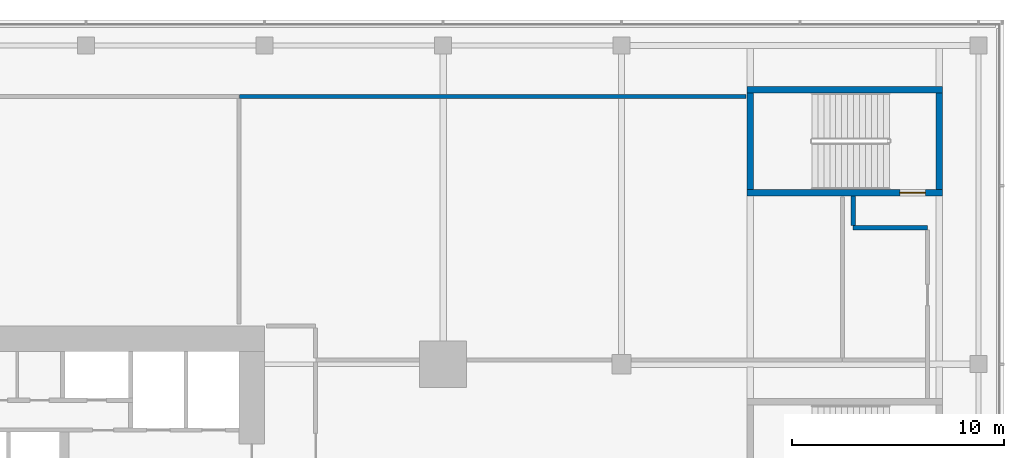
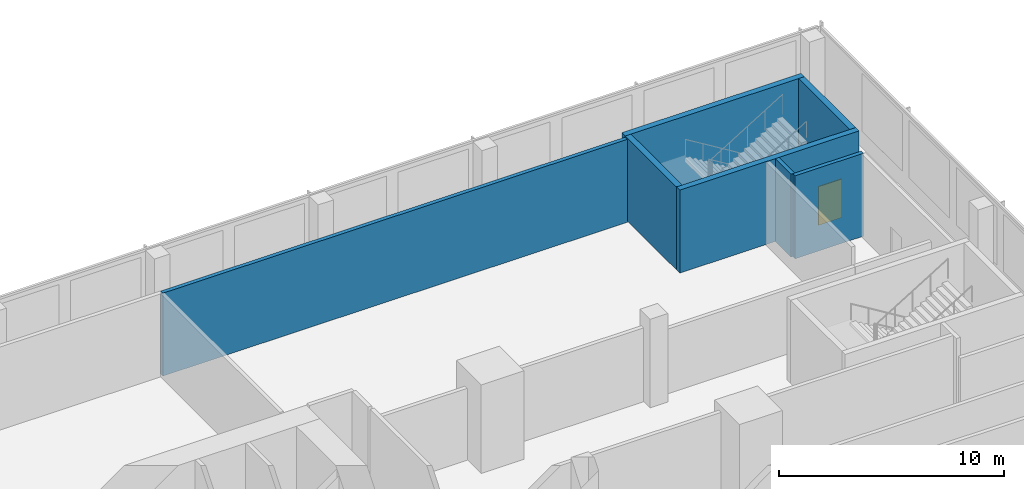
# One storey, part 34 of 39: 7 walls, 1 door, 1 opening.
"""IFC4 building model written with IfcOpenShell, lengths in metres."""

from ifc_helpers import new_model, si_unit, direction, frame, frame_2d, origin, place, context, subcontext, project, spatial, rectangle, extrude, material, layer, layer_set, type_object, element, fill, save


model = new_model("IFC4")

# Units and contexts
model_context = context("Model", 3, precision=1e-05, world=origin(), true_north=direction((0.0, 1.0)))
body_context = subcontext(model_context, "Body", "Model", "MODEL_VIEW")
ifc_project = project(units=[si_unit("LENGTHUNIT", "METRE"), si_unit("AREAUNIT", "SQUARE_METRE"), si_unit("VOLUMEUNIT", "CUBIC_METRE"), si_unit("PLANEANGLEUNIT", "RADIAN"), si_unit("MASSUNIT", "GRAM", prefix="KILO")], contexts=[model_context])

# Site, building, storey
site_placement = place(None, origin())
site = spatial("IfcSite", under=ifc_project, at=site_placement, CompositionType="ELEMENT")
building_placement = place(site_placement, origin())
building = spatial("IfcBuilding", under=site, at=building_placement, Name="Saffron Gate Tower", CompositionType="ELEMENT")
storey_placement = place(building_placement, frame((0.0, 0.0, 14.39990234375)))
storey = spatial("IfcBuildingStorey", under=building, at=storey_placement, Name="L02", CompositionType="ELEMENT", Elevation=14.39990234375)

# Wall, opening, door
ifc_material_1 = material(Name="Concrete C70", Category="concrete")
ifc_layer_1 = layer(ifc_material_1, 0.300048828125)
ifc_layer_set_1 = layer_set([ifc_layer_1], Name="CW5 RC core wall 300 C70")
wall_type_1 = type_object("IfcWallType", Name="CW5 RC core wall 300 C70", PredefinedType="SOLIDWALL", material=ifc_layer_set_1)
wall_1_placement = place(storey_placement, frame((131.300048828125, 81.875, 0.0), z_axis=(0.0, 0.0, 1.0), x_axis=(1.0, 0.0, 0.0)))
wall_1 = element("IfcWall", 1, at=wall_1_placement, inside=storey, type_object=wall_type_1, Name="Wall CW5-L02-I-1", PredefinedType="SOLIDWALL", context=body_context, shape_type="SweptSolid", body=[
    extrude(rectangle(XDim=9.199951171875, YDim=0.300048828125, at=frame_2d((4.60009765625, 0.0))), origin(), (0.0, 0.0, 1.0), 4.5),
])
opening_placement = place(wall_1_placement, frame((7.199951171875, 0.0, 0.0)))
opening = element("IfcOpeningElement", 2, at=opening_placement, cuts=wall_1, Name="Opening CR-35", PredefinedType="OPENING", context=body_context, shape_type="SweptSolid", body=[
    extrude(rectangle(XDim=1.199951171875, YDim=2.10009765625, at=frame_2d((0.60009765625, 1.050048828125))), frame((0.0, 0.16015625, 0.0), z_axis=(0.0, -1.0, 0.0), x_axis=(1.0, 0.0, 0.0)), (0.0, 0.0, 1.0), 0.320068359375),
])
ifc_material_2 = material(Name="Steel fire door set", Category="steel")
door_type = type_object("IfcDoorType", Name="CD12 Stair door 1200x2100 EI 120", OperationType="NOTDEFINED", PredefinedType="DOOR", material=ifc_material_2)
door_placement = place(opening_placement, origin())
door = element("IfcDoor", 3, at=door_placement, inside=storey, type_object=door_type, Name="DOOR CR-35", OperationType="SINGLE_SWING_RIGHT", OverallHeight=2.10009765625, OverallWidth=1.199951171875, PredefinedType="DOOR", context=body_context, shape_type="SweptSolid", body=[
    extrude(rectangle(XDim=1.199951171875, YDim=2.10009765625, at=frame_2d((0.60009765625, 1.050048828125))), frame((0.0, 0.02490234375, 0.0), z_axis=(0.0, -1.0, 0.0), x_axis=(1.0, 0.0, 0.0)), (0.0, 0.0, 1.0), 0.050048828125),
])
fill(opening, door)

# Walls
for number, where, z_axis, x_axis, name in (
    (4, (131.449951171875, 82.02490234375, 0.0), (0.0, 0.0, 1.0), (0.0, 1.0, 0.0), "Wall CW5-L02-I-2"),
    (5, (140.35009765625, 82.02490234375, 0.0), (0.0, 0.0, 1.0), (0.0, 1.0, 0.0), "Wall CW5-L02-I-3"),
):
    element("IfcWall", number, at=place(storey_placement, frame(where, z_axis=z_axis, x_axis=x_axis)), inside=storey, type_object=wall_type_1, Name=name, PredefinedType="SOLIDWALL", context=body_context, shape_type="SweptSolid", body=[
        extrude(rectangle(XDim=4.550048828125, YDim=0.300048828125, at=frame_2d((2.27490234375, 0.0))), origin(), (0.0, 0.0, 1.0), 4.5),
    ])
wall_2_placement = place(storey_placement, frame((131.300048828125, 86.72509765625, 0.0), z_axis=(0.0, 0.0, 1.0), x_axis=(1.0, 0.0, 0.0)))
element("IfcWall", 6, at=wall_2_placement, inside=storey, type_object=wall_type_1, Name="Wall CW5-L02-I-4", PredefinedType="SOLIDWALL", context=body_context, shape_type="SweptSolid", body=[
    extrude(rectangle(XDim=9.199951171875, YDim=0.300048828125, at=frame_2d((4.60009765625, 0.0))), origin(), (0.0, 0.0, 1.0), 4.5),
])
ifc_material_3 = material(Name="Clay brick masonry, rendered", Category="masonry")
ifc_layer_2 = layer(ifc_material_3, 0.199951171875)
ifc_layer_set_2 = layer_set([ifc_layer_2], Name="PW3 Corridor wall 200")
wall_type_2 = type_object("IfcWallType", Name="PW3 Corridor wall 200", PredefinedType="PARTITIONING", material=ifc_layer_set_2)
wall_3_placement = place(storey_placement, frame((136.300048828125, 80.22509765625, 0.0), z_axis=(0.0, 0.0, 1.0), x_axis=(1.0, 0.0, 0.0)))
element("IfcWall", 7, at=wall_3_placement, inside=storey, type_object=wall_type_2, Name="Wall P2-35", PredefinedType="PARTITIONING", context=body_context, shape_type="SweptSolid", body=[
    extrude(rectangle(XDim=3.5, YDim=0.199951171875, at=frame_2d((1.75, 0.0))), origin(), (0.0, 0.0, 1.0), 4.5),
])
wall_4_placement = place(storey_placement, frame((136.300048828125, 81.72509765625, 0.0), z_axis=(0.0, 0.0, 1.0), x_axis=(0.0, -1.0, 0.0)))
element("IfcWall", 8, at=wall_4_placement, inside=storey, type_object=wall_type_2, Name="Wall P2-74", PredefinedType="PARTITIONING", context=body_context, shape_type="SweptSolid", body=[
    extrude(rectangle(XDim=1.400146484375, YDim=0.199951171875, at=frame_2d((0.7001953125, 0.0))), origin(), (0.0, 0.0, 1.0), 4.5),
])
ifc_layer_3 = layer(ifc_material_3, 0.199951171875)
ifc_layer_set_3 = layer_set([ifc_layer_3], Name="PW5 Room wall 200")
wall_type_3 = type_object("IfcWallType", Name="PW5 Room wall 200", PredefinedType="PARTITIONING", material=ifc_layer_set_3)
wall_5_placement = place(storey_placement, frame((107.419921875, 86.39990234375, 0.0), z_axis=(0.0, 0.0, 1.0), x_axis=(1.0, 0.0, 0.0)))
element("IfcWall", 9, at=wall_5_placement, inside=storey, type_object=wall_type_3, Name="Wall P2-38", PredefinedType="PARTITIONING", context=body_context, shape_type="SweptSolid", body=[
    extrude(rectangle(XDim=23.830078125, YDim=0.199951171875, at=frame_2d((11.9150390625, 0.0))), origin(), (0.0, 0.0, 1.0), 4.5),
])

save(model, "model.ifc")
